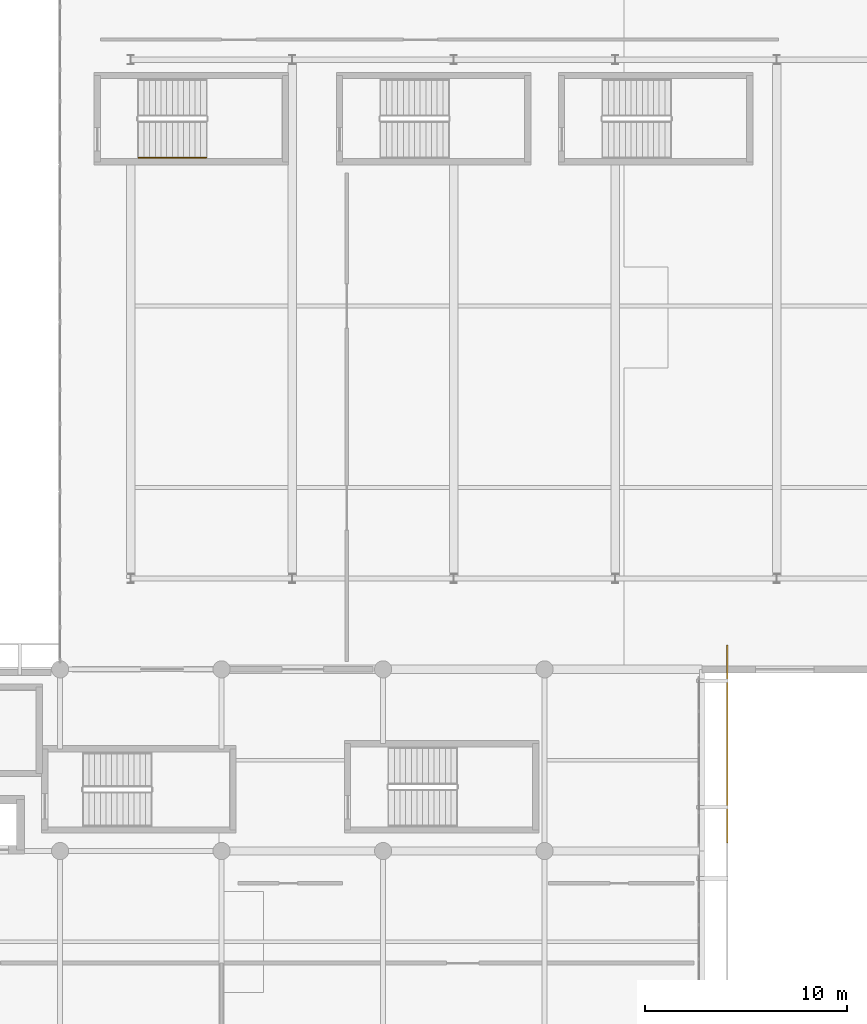
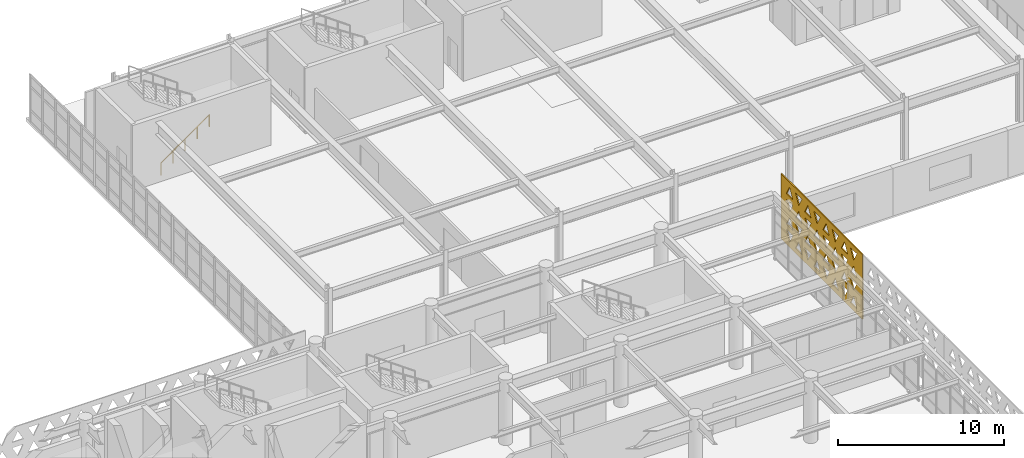
# One storey, part 50 of 54: 1 covering, 1 railing.
"""IFC4 building model written with IfcOpenShell, lengths in metres."""

import ifcopenshell
import ifcopenshell.guid

model = None  # the IFC model being written
_history = None  # IfcOwnerHistory: only IFC2X3 demands one
_inside = {}  # id of a spatial element -> (the spatial element, [elements in it])
_under = {}  # id of a project, library or spatial element -> (it, [spatial elements below it])
_declared = {}  # id of a project -> (the project, [libraries it declares])
_typed = {}  # id of a type object -> (the type object, [elements of that type])
_made_of = {}  # id of a material, layer set ... -> (it, [elements and type objects made of it])


def new_model(schema):
    """Start an empty IFC model of exactly this schema.

    Asked for "IFC4X3", IfcOpenShell would pick the latest addendum, in which some entities
    have other attributes; the version numbers below select the first issue.
    IFC2X3 requires an IfcOwnerHistory on every rooted entity: one is made here for all.
    """
    global model, _history
    if schema == "IFC4X3":
        model = ifcopenshell.file(schema_version=(4, 3, 0, 0))
    else:
        model = ifcopenshell.file(schema=schema)
    _inside.clear()
    _under.clear()
    _declared.clear()
    _typed.clear()
    _made_of.clear()
    _history = None
    if model.schema == "IFC2X3":
        org = make("IfcOrganization", Name="unknown")
        user = make(
            "IfcPersonAndOrganization",
            ThePerson=make("IfcPerson", FamilyName="unknown"),
            TheOrganization=org,
        )
        app = make(
            "IfcApplication",
            ApplicationDeveloper=org,
            Version="unknown",
            ApplicationFullName="unknown",
            ApplicationIdentifier="unknown",
        )
        _history = make(
            "IfcOwnerHistory",
            OwningUser=user,
            OwningApplication=app,
            ChangeAction="ADDED",
            CreationDate=0,
        )
    return model


def make(cls, **values):
    """One entity of the class cls with the attributes given. An attribute that is None is left unset."""
    return model.create_entity(
        cls, **{name: value for name, value in values.items() if value is not None}
    )


def rooted(cls, **values):
    """An entity with a GlobalId (a new one), such as an element, a storey or a relation."""
    return make(cls, GlobalId=ifcopenshell.guid.new(), OwnerHistory=_history, **values)


def si_unit(unit_type, name, prefix=None):
    """IfcSIUnit, for example si_unit("LENGTHUNIT", "METRE", prefix="MILLI")."""
    return make("IfcSIUnit", UnitType=unit_type, Prefix=prefix, Name=name)


def assignment(units):
    """IfcUnitAssignment: the units of a project."""
    return None if units is None else make("IfcUnitAssignment", Units=units)


def point(xyz):
    """IfcCartesianPoint."""
    return None if xyz is None else make("IfcCartesianPoint", Coordinates=xyz)


def direction(xyz):
    """IfcDirection."""
    return None if xyz is None else make("IfcDirection", DirectionRatios=xyz)


def frame(location, z_axis=None, x_axis=None):
    """IfcAxis2Placement3D, a coordinate frame: its origin and axes. An axis left out is left unset."""
    return make(
        "IfcAxis2Placement3D",
        Location=point(location),
        Axis=direction(z_axis),
        RefDirection=direction(x_axis),
    )


def frame_2d(location, x_axis=None):
    """IfcAxis2Placement2D, a coordinate frame in the plane: its origin and x axis."""
    return make(
        "IfcAxis2Placement2D", Location=point(location), RefDirection=direction(x_axis)
    )


def origin():
    """The frame at (0, 0, 0) with its axes left unset."""
    return frame((0.0, 0.0, 0.0))


def origin_2d():
    """The frame at (0, 0) in the plane with its x axis left unset."""
    return frame_2d((0.0, 0.0))


def place(relative_to, where):
    """IfcLocalPlacement: puts the frame where relative to a parent placement (None: the world)."""
    return make(
        "IfcLocalPlacement", PlacementRelTo=relative_to, RelativePlacement=where
    )


def context(
    kind, dimensions, precision=None, world=None, true_north=None, identifier=None
):
    """IfcGeometricRepresentationContext, for example the 3D "Model" context."""
    return make(
        "IfcGeometricRepresentationContext",
        ContextIdentifier=identifier,
        ContextType=kind,
        CoordinateSpaceDimension=dimensions,
        Precision=precision,
        WorldCoordinateSystem=world,
        TrueNorth=true_north,
    )


def subcontext(parent, identifier, kind, view, scale=None):
    """IfcGeometricRepresentationSubContext, for example "Body" below "Model"."""
    return make(
        "IfcGeometricRepresentationSubContext",
        ContextIdentifier=identifier,
        ContextType=kind,
        ParentContext=parent,
        TargetScale=scale,
        TargetView=view,
    )


def project(units=None, contexts=None):
    """IfcProject with its units and contexts."""
    return rooted(
        "IfcProject",
        Name="project",
        RepresentationContexts=contexts,
        UnitsInContext=assignment(units),
    )


def spatial(cls, under=None, at=None, **own):
    """A site, building, storey or space (cls), placed at a placement, below another one or the project."""
    s = rooted(cls, ObjectPlacement=at, **own)
    if under is not None:
        _under.setdefault(under.id(), (under, []))[1].append(s)
    return s


def polyline(points):
    """IfcPolyline through the points."""
    return make("IfcPolyline", Points=[point(p) for p in points])


def profile(cls, at=None, kind="AREA", **sizes):
    """A parametric profile (cls). Its sizes go by their IFC names, for example OverallWidth=200.0."""
    return make(cls, ProfileType=kind, Position=at, **sizes)


def circle(**sizes):
    """IfcCircleProfileDef."""
    return profile("IfcCircleProfileDef", **sizes)


def outline(outer, holes=None, kind="AREA"):
    """IfcArbitraryClosedProfileDef: a profile drawn as a closed curve; with holes, ...WithVoids."""
    if holes is None:
        return make("IfcArbitraryClosedProfileDef", ProfileType=kind, OuterCurve=outer)
    return make(
        "IfcArbitraryProfileDefWithVoids",
        ProfileType=kind,
        OuterCurve=outer,
        InnerCurves=holes,
    )


def extrude(swept, where, along, depth):
    """IfcExtrudedAreaSolid: the profile swept, set in the frame where, extruded along a direction by depth."""
    return make(
        "IfcExtrudedAreaSolid",
        SweptArea=swept,
        Position=where,
        ExtrudedDirection=direction(along),
        Depth=depth,
    )


def shape(context_of_items, identifier, shape_type, items):
    """IfcShapeRepresentation: the items that make up one representation, for example the "Body"."""
    return make(
        "IfcShapeRepresentation",
        ContextOfItems=context_of_items,
        RepresentationIdentifier=identifier,
        RepresentationType=shape_type,
        Items=items,
    )


def material(Name=None, Category=None):
    """IfcMaterial."""
    return make("IfcMaterial", Name=Name, Category=Category)


def layer(
    of_material, thickness, ventilated=None, Name=None, Category=None, Priority=None
):
    """IfcMaterialLayer: one layer of a wall or slab, of a material (None: an air gap)."""
    return make(
        "IfcMaterialLayer",
        Material=of_material,
        LayerThickness=thickness,
        IsVentilated=ventilated,
        Name=Name,
        Category=Category,
        Priority=Priority,
    )


def layer_set(layers, Name=None):
    """IfcMaterialLayerSet."""
    return make("IfcMaterialLayerSet", MaterialLayers=layers, LayerSetName=Name)


def made_of(thing, what):
    """Note that an element or type object is made of a material, layer set ...; save() writes the relation."""
    if what is not None:
        _made_of.setdefault(what.id(), (what, []))[1].append(thing)
    return thing


def type_object(cls, material=None, **own):
    """A type object (cls), such as IfcWallType, which elements share."""
    return made_of(rooted(cls, **own), material)


def element(
    cls,
    number,
    at=None,
    inside=None,
    cuts=None,
    type_object=None,
    material=None,
    context=None,
    identifier="Body",
    shape_type=None,
    held_by="IfcProductDefinitionShape",
    body=None,
    shapes=None,
    **own,
):
    """One element of the class cls, such as IfcWall. Its Tag is "e" and its number.

    at: its placement. inside: the storey or other place that contains it. cuts: it is an
    opening in that element (IfcRelVoidsElement). A single representation is given by context,
    identifier, shape_type and body (its items); several are given by shapes. held_by: the class
    of the entity that holds the representations. save() writes the other relations.
    """
    e = rooted(cls, Tag="e%d" % number, ObjectPlacement=at, **own)
    if body is not None:
        shapes = [shape(context, identifier, shape_type, body)]
    if shapes is not None:
        e.Representation = make(held_by, Representations=shapes)
    if inside is not None:
        _inside.setdefault(inside.id(), (inside, []))[1].append(e)
    if cuts is not None:
        rooted(
            "IfcRelVoidsElement", RelatingBuildingElement=cuts, RelatedOpeningElement=e
        )
    if type_object is not None:
        _typed.setdefault(type_object.id(), (type_object, []))[1].append(e)
    return made_of(e, material)


def aggregate(whole, parts):
    """IfcRelAggregates: a whole, such as a stair, and the parts it consists of."""
    return rooted("IfcRelAggregates", RelatingObject=whole, RelatedObjects=parts)


def save(model, path):
    """Write the relations noted so far, then the file.

    IfcRelAggregates (storeys below a building ...), IfcRelContainedInSpatialStructure (elements
    in a storey), IfcRelDefinesByType, IfcRelAssociatesMaterial and IfcRelDeclares: one each for
    every whole, place, type object, material and project.
    """
    for whole, parts in _under.values():
        aggregate(whole, parts)
    for where, things in _inside.values():
        rooted(
            "IfcRelContainedInSpatialStructure",
            RelatedElements=things,
            RelatingStructure=where,
        )
    for kind, things in _typed.values():
        rooted("IfcRelDefinesByType", RelatedObjects=things, RelatingType=kind)
    for what, things in _made_of.values():
        rooted("IfcRelAssociatesMaterial", RelatedObjects=things, RelatingMaterial=what)
    for by, libraries in _declared.values():
        rooted("IfcRelDeclares", RelatingContext=by, RelatedDefinitions=libraries)
    model.write(path)


model = new_model("IFC4")

# Units and contexts
model_context = context("Model", 3, precision=1e-05, world=origin(), true_north=direction((0.0, 1.0)))
body_context = subcontext(model_context, "Body", "Model", "MODEL_VIEW")
ifc_project = project(units=[si_unit("LENGTHUNIT", "METRE"), si_unit("AREAUNIT", "SQUARE_METRE"), si_unit("VOLUMEUNIT", "CUBIC_METRE"), si_unit("PLANEANGLEUNIT", "RADIAN"), si_unit("MASSUNIT", "GRAM", prefix="KILO")], contexts=[model_context])

# Site, building, storey
site_placement = place(None, origin())
site = spatial("IfcSite", under=ifc_project, at=site_placement, CompositionType="ELEMENT")
building_placement = place(site_placement, origin())
building = spatial("IfcBuilding", under=site, at=building_placement, Name="Tlacozan Convention Centre", CompositionType="ELEMENT")
storey_placement = place(building_placement, frame((0.0, 0.0, 11.39990234375)))
storey = spatial("IfcBuildingStorey", under=building, at=storey_placement, Name="L02", CompositionType="ELEMENT", Elevation=11.39990234375)

# Railing
ifc_material_1 = material(Name="Architectural Painted Galvanised Steel Railing", Category="steel")
railing_type = type_object("IfcRailingType", Name="Stair Wall Handrail 900", PredefinedType="HANDRAIL", material=ifc_material_1)
railing_placement = place(storey_placement, frame((91.8798828125, 52.35009765625, 0.184814453125)))
element("IfcRailing", 1, at=railing_placement, inside=storey, type_object=railing_type, Name="L02 ST-06 stair handrail 1", PredefinedType="HANDRAIL", context=body_context, shape_type="SweptSolid", body=[
    extrude(circle(Radius=0.02392578125, at=origin_2d()), frame((0.0, 0.0, 0.8759765625), z_axis=(0.813753445783, 0.0, 0.581210228297), x_axis=(0.0, 1.0, 0.0)), (0.0, 0.0, 1.0), 4.129150390625),
    extrude(circle(Radius=0.02099609375, at=origin_2d()), origin(), (0.0, 0.0, 1.0), 0.851806640625),
    extrude(circle(Radius=0.02099609375, at=origin_2d()), frame((0.840087890625, 0.0, 0.60009765625)), (0.0, 0.0, 1.0), 0.851806640625),
    extrude(circle(Radius=0.02099609375, at=origin_2d()), frame((1.68017578125, 0.0, 1.199951171875)), (0.0, 0.0, 1.0), 0.851806640625),
    extrude(circle(Radius=0.02099609375, at=origin_2d()), frame((2.52001953125, 0.0, 1.7998046875)), (0.0, 0.0, 1.0), 0.851806640625),
    extrude(circle(Radius=0.02099609375, at=origin_2d()), frame((3.360107421875, 0.0, 2.39990234375)), (0.0, 0.0, 1.0), 0.851806640625),
])

# Covering
ifc_material_2 = material(Name="Toluca Fired Terracotta Masonry Solar Screen", Category="masonry")
ifc_layer = layer(ifc_material_2, 0.080078125)
ifc_layer_set = layer_set([ifc_layer], Name="Toluca Fired Terracotta Masonry Solar Screen")
covering_type = type_object("IfcCoveringType", Name="Terracotta Triangle Solar Screen 80", PredefinedType="USERDEFINED", material=ifc_layer_set)
covering_placement = place(storey_placement, frame((121.050048828125, 18.404296875, -0.02978515625), z_axis=(0.0, 0.0, 1.0), x_axis=(0.0, 1.0, 0.0)))
element("IfcCovering", 2, at=covering_placement, inside=storey, type_object=covering_type, Name="L02 Terracotta Triangle Screen 42", ObjectType="SCREEN", PredefinedType="USERDEFINED", context=body_context, shape_type="SweptSolid", body=[
    extrude(outline(polyline([(0.0, 0.0), (9.80078125, 0.0), (9.80078125, 4.77978515625), (0.0, 4.77978515625), (0.0, 0.0)]), holes=[polyline([(0.664306640625, 0.360107421875), (1.4365234375, 0.360107421875), (1.05029296875, 1.074951171875), (0.664306640625, 0.360107421875)]), polyline([(1.764404296875, 1.074951171875), (2.536376953125, 1.074951171875), (2.150390625, 0.360107421875), (1.764404296875, 1.074951171875)]), polyline([(2.8642578125, 0.360107421875), (3.636474609375, 0.360107421875), (3.25048828125, 1.074951171875), (2.8642578125, 0.360107421875)]), polyline([(3.96435546875, 1.074951171875), (4.736328125, 1.074951171875), (4.350341796875, 0.360107421875), (3.96435546875, 1.074951171875)]), polyline([(5.064453125, 0.360107421875), (5.83642578125, 0.360107421875), (5.450439453125, 1.074951171875), (5.064453125, 0.360107421875)]), polyline([(6.164306640625, 1.074951171875), (6.9365234375, 1.074951171875), (6.55029296875, 0.360107421875), (6.164306640625, 1.074951171875)]), polyline([(7.264404296875, 0.360107421875), (8.036376953125, 0.360107421875), (7.650390625, 1.074951171875), (7.264404296875, 0.360107421875)]), polyline([(8.3642578125, 1.074951171875), (9.136474609375, 1.074951171875), (8.75048828125, 0.360107421875), (8.3642578125, 1.074951171875)]), polyline([(0.664306640625, 2.18994140625), (1.4365234375, 2.18994140625), (1.05029296875, 1.47509765625), (0.664306640625, 2.18994140625)]), polyline([(1.764404296875, 1.47509765625), (2.536376953125, 1.47509765625), (2.150390625, 2.18994140625), (1.764404296875, 1.47509765625)]), polyline([(2.8642578125, 2.18994140625), (3.636474609375, 2.18994140625), (3.25048828125, 1.47509765625), (2.8642578125, 2.18994140625)]), polyline([(3.96435546875, 1.47509765625), (4.736328125, 1.47509765625), (4.350341796875, 2.18994140625), (3.96435546875, 1.47509765625)]), polyline([(5.064453125, 2.18994140625), (5.83642578125, 2.18994140625), (5.450439453125, 1.47509765625), (5.064453125, 2.18994140625)]), polyline([(6.164306640625, 1.47509765625), (6.9365234375, 1.47509765625), (6.55029296875, 2.18994140625), (6.164306640625, 1.47509765625)]), polyline([(7.264404296875, 2.18994140625), (8.036376953125, 2.18994140625), (7.650390625, 1.47509765625), (7.264404296875, 2.18994140625)]), polyline([(8.3642578125, 1.47509765625), (9.136474609375, 1.47509765625), (8.75048828125, 2.18994140625), (8.3642578125, 1.47509765625)]), polyline([(0.664306640625, 2.58984375), (1.4365234375, 2.58984375), (1.05029296875, 3.3046875), (0.664306640625, 2.58984375)]), polyline([(1.764404296875, 3.3046875), (2.536376953125, 3.3046875), (2.150390625, 2.58984375), (1.764404296875, 3.3046875)]), polyline([(2.8642578125, 2.58984375), (3.636474609375, 2.58984375), (3.25048828125, 3.3046875), (2.8642578125, 2.58984375)]), polyline([(3.96435546875, 3.3046875), (4.736328125, 3.3046875), (4.350341796875, 2.58984375), (3.96435546875, 3.3046875)]), polyline([(5.064453125, 2.58984375), (5.83642578125, 2.58984375), (5.450439453125, 3.3046875), (5.064453125, 2.58984375)]), polyline([(6.164306640625, 3.3046875), (6.9365234375, 3.3046875), (6.55029296875, 2.58984375), (6.164306640625, 3.3046875)]), polyline([(7.264404296875, 2.58984375), (8.036376953125, 2.58984375), (7.650390625, 3.3046875), (7.264404296875, 2.58984375)]), polyline([(8.3642578125, 3.3046875), (9.136474609375, 3.3046875), (8.75048828125, 2.58984375), (8.3642578125, 3.3046875)]), polyline([(0.664306640625, 4.419677734375), (1.4365234375, 4.419677734375), (1.05029296875, 3.704833984375), (0.664306640625, 4.419677734375)]), polyline([(1.764404296875, 3.704833984375), (2.536376953125, 3.704833984375), (2.150390625, 4.419677734375), (1.764404296875, 3.704833984375)]), polyline([(2.8642578125, 4.419677734375), (3.636474609375, 4.419677734375), (3.25048828125, 3.704833984375), (2.8642578125, 4.419677734375)]), polyline([(3.96435546875, 3.704833984375), (4.736328125, 3.704833984375), (4.350341796875, 4.419677734375), (3.96435546875, 3.704833984375)]), polyline([(5.064453125, 4.419677734375), (5.83642578125, 4.419677734375), (5.450439453125, 3.704833984375), (5.064453125, 4.419677734375)]), polyline([(6.164306640625, 3.704833984375), (6.9365234375, 3.704833984375), (6.55029296875, 4.419677734375), (6.164306640625, 3.704833984375)]), polyline([(7.264404296875, 4.419677734375), (8.036376953125, 4.419677734375), (7.650390625, 3.704833984375), (7.264404296875, 4.419677734375)]), polyline([(8.3642578125, 3.704833984375), (9.136474609375, 3.704833984375), (8.75048828125, 4.419677734375), (8.3642578125, 3.704833984375)])]), frame((0.0, 0.0400390625, 0.0), z_axis=(0.0, -1.0, 0.0), x_axis=(1.0, 0.0, 0.0)), (0.0, 0.0, 1.0), 0.080078125),
])

save(model, "model.ifc")
